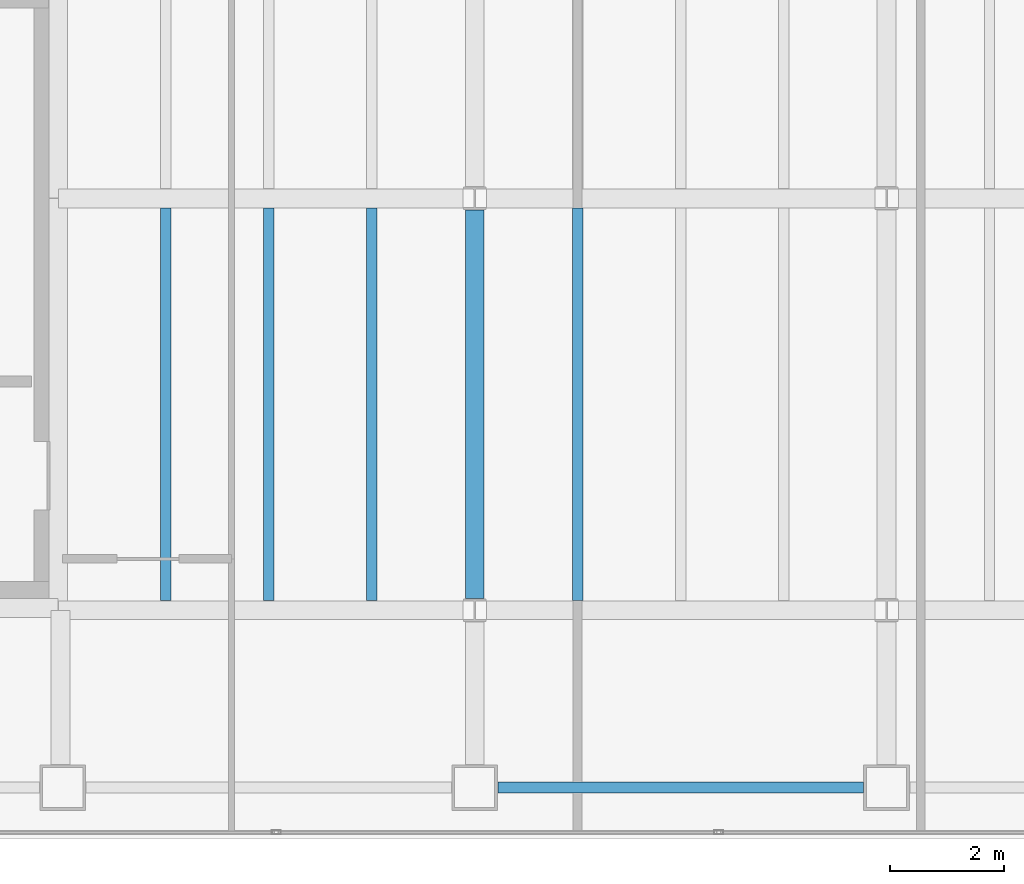
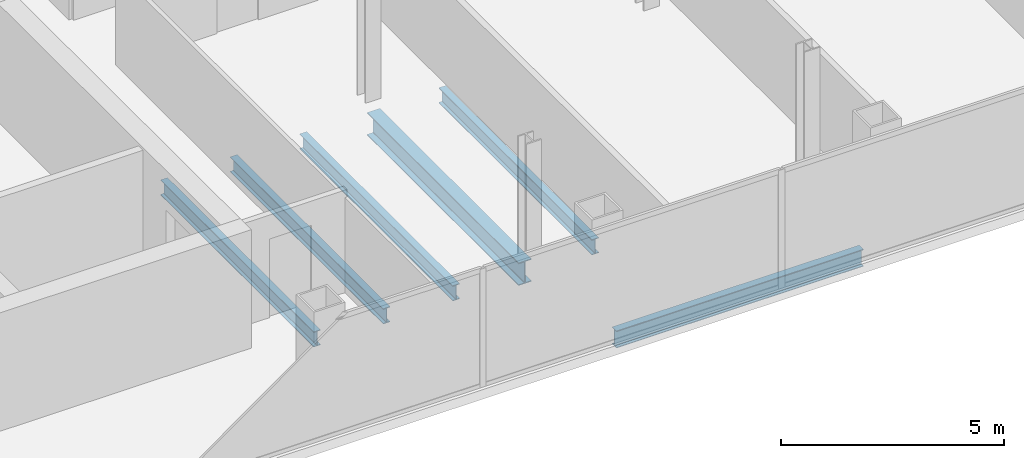
# One storey, part 5 of 23: 6 beams.
"""IFC4 building model written with IfcOpenShell, lengths in metres."""

from ifc_helpers import new_model, si_unit, direction, frame, origin, origin_2d, place, context, subcontext, project, spatial, i_section, extrude, material, material_profile, profile_set, type_object, element, save


model = new_model("IFC4")

# Units and contexts
model_context = context("Model", 3, precision=1e-05, world=origin(), true_north=direction((0.0, 1.0)))
body_context = subcontext(model_context, "Body", "Model", "MODEL_VIEW")
ifc_project = project(units=[si_unit("LENGTHUNIT", "METRE"), si_unit("AREAUNIT", "SQUARE_METRE"), si_unit("VOLUMEUNIT", "CUBIC_METRE"), si_unit("PLANEANGLEUNIT", "RADIAN"), si_unit("MASSUNIT", "GRAM", prefix="KILO")], contexts=[model_context])

# Site, building, storey
site_placement = place(None, origin())
site = spatial("IfcSite", under=ifc_project, at=site_placement, CompositionType="ELEMENT")
building_placement = place(site_placement, origin())
building = spatial("IfcBuilding", under=site, at=building_placement, Name="Cobrela Telecom Tower", CompositionType="ELEMENT")
storey_placement = place(building_placement, frame((0.0, 0.0, 194.25)))
storey = spatial("IfcBuildingStorey", under=building, at=storey_placement, Name="L49", CompositionType="ELEMENT", Elevation=194.25)

# Beams
ifc_material = material(Name="Steel ASTM A992 Grade 50", Category="steel")
ifc_material_profile_1 = material_profile(ifc_material, i_section(OverallWidth=0.327880859375, OverallDepth=0.6220703125, WebThickness=0.015380859375, FlangeThickness=0.0244140625, FilletRadius=0.014892578125, at=origin_2d()), Name="W24X131")
ifc_profile_set_1 = profile_set([ifc_material_profile_1], Name="Steel ASTM A992 Grade 50")
beam_type_1 = type_object("IfcBeamType", Name="BM-GIRD-06", PredefinedType="USERDEFINED", material=ifc_profile_set_1)
beam_1_placement = place(storey_placement, frame((21.60009765625, 7.404541015625, -0.571044921875), z_axis=(0.0, 1.0, 0.0), x_axis=(-1.0, 0.0, 0.0)))
element("IfcBeam", 1, at=beam_1_placement, inside=storey, type_object=beam_type_1, Name="L49 Primary Girder Y33", ObjectType="GIRDER", PredefinedType="USERDEFINED", context=body_context, shape_type="SweptSolid", body=[
    extrude(i_section(OverallWidth=0.327880859375, OverallDepth=0.6220703125, WebThickness=0.015380859375, FlangeThickness=0.0244140625, FilletRadius=0.014892578125, at=origin_2d()), origin(), (0.0, 0.0, 1.0), 6.791015625),
])
ifc_material_profile_2 = material_profile(ifc_material, i_section(OverallWidth=0.179931640625, OverallDepth=0.4169921875, WebThickness=0.010986328125, FlangeThickness=0.01806640625, FilletRadius=0.011962890625, at=origin_2d()), Name="W16X57")
ifc_profile_set_2 = profile_set([ifc_material_profile_2], Name="Steel ASTM A992 Grade 50")
beam_type_2 = type_object("IfcBeamType", Name="BM-JOIST-04", PredefinedType="JOIST", material=ifc_profile_set_2)
for number, where, z_axis, x_axis, name in (
    (2, (16.199951171875, 7.368896484375, -0.468505859375), (0.0, 1.0, 0.0), (-1.0, 0.0, 0.0), "L49 Secondary Composite Floor Beam J01"),
    (3, (18.0, 7.368896484375, -0.468505859375), (0.0, 1.0, 0.0), (-1.0, 0.0, 0.0), "L49 Secondary Composite Floor Beam J05"),
    (4, (19.800048828125, 7.368896484375, -0.468505859375), (0.0, 1.0, 0.0), (-1.0, 0.0, 0.0), "L49 Secondary Composite Floor Beam J09"),
    (5, (23.39990234375, 7.368896484375, -0.468505859375), (0.0, 1.0, 0.0), (-1.0, 0.0, 0.0), "L49 Secondary Composite Floor Beam J13"),
):
    element("IfcBeam", number, at=place(storey_placement, frame(where, z_axis=z_axis, x_axis=x_axis)), inside=storey, type_object=beam_type_2, Name=name, PredefinedType="JOIST", context=body_context, shape_type="SweptSolid", body=[
        extrude(i_section(OverallWidth=0.179931640625, OverallDepth=0.4169921875, WebThickness=0.010986328125, FlangeThickness=0.01806640625, FilletRadius=0.011962890625, at=origin_2d()), origin(), (0.0, 0.0, 1.0), 6.862060546875),
    ])
ifc_material_profile_3 = material_profile(ifc_material, i_section(OverallWidth=0.193115234375, OverallDepth=0.467041015625, WebThickness=0.011474609375, FlangeThickness=0.01904296875, FilletRadius=0.012939453125, at=origin_2d()), Name="W18X65")
ifc_profile_set_3 = profile_set([ifc_material_profile_3], Name="Steel ASTM A992 Grade 50")
beam_type_3 = type_object("IfcBeamType", Name="BM-SPAND-05", PredefinedType="SPANDREL", material=ifc_profile_set_3)
beam_2_placement = place(storey_placement, frame((22.0048828125, 4.10009765625, -0.493408203125), z_axis=(1.0, 0.0, 0.0), x_axis=(0.0, 1.0, 0.0)))
element("IfcBeam", 6, at=beam_2_placement, inside=storey, type_object=beam_type_3, Name="L49 Perimeter Spandrel X03", PredefinedType="SPANDREL", context=body_context, shape_type="SweptSolid", body=[
    extrude(i_section(OverallWidth=0.193115234375, OverallDepth=0.467041015625, WebThickness=0.011474609375, FlangeThickness=0.01904296875, FilletRadius=0.012939453125, at=origin_2d()), origin(), (0.0, 0.0, 1.0), 6.39013671875),
])

save(model, "model.ifc")
